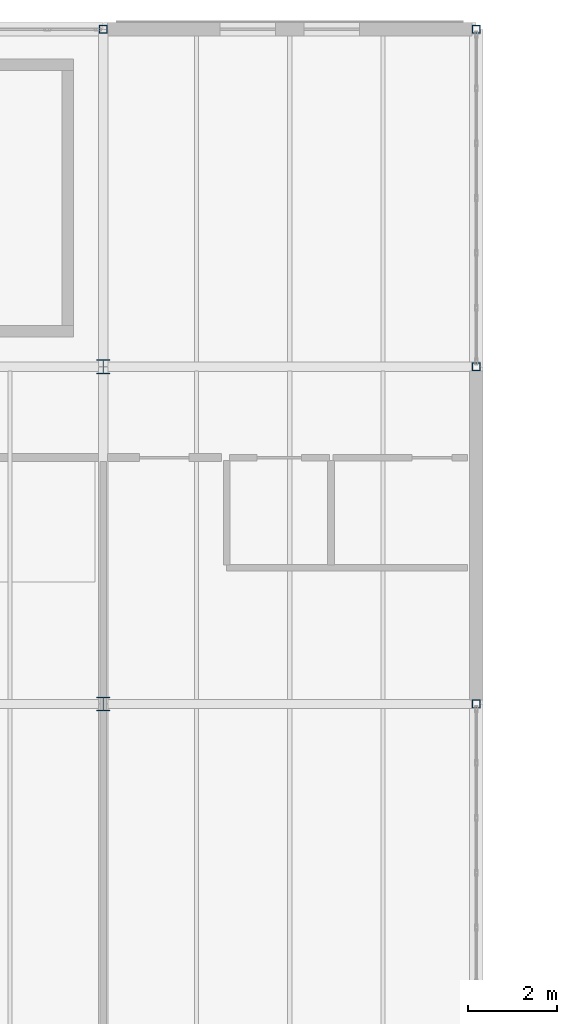
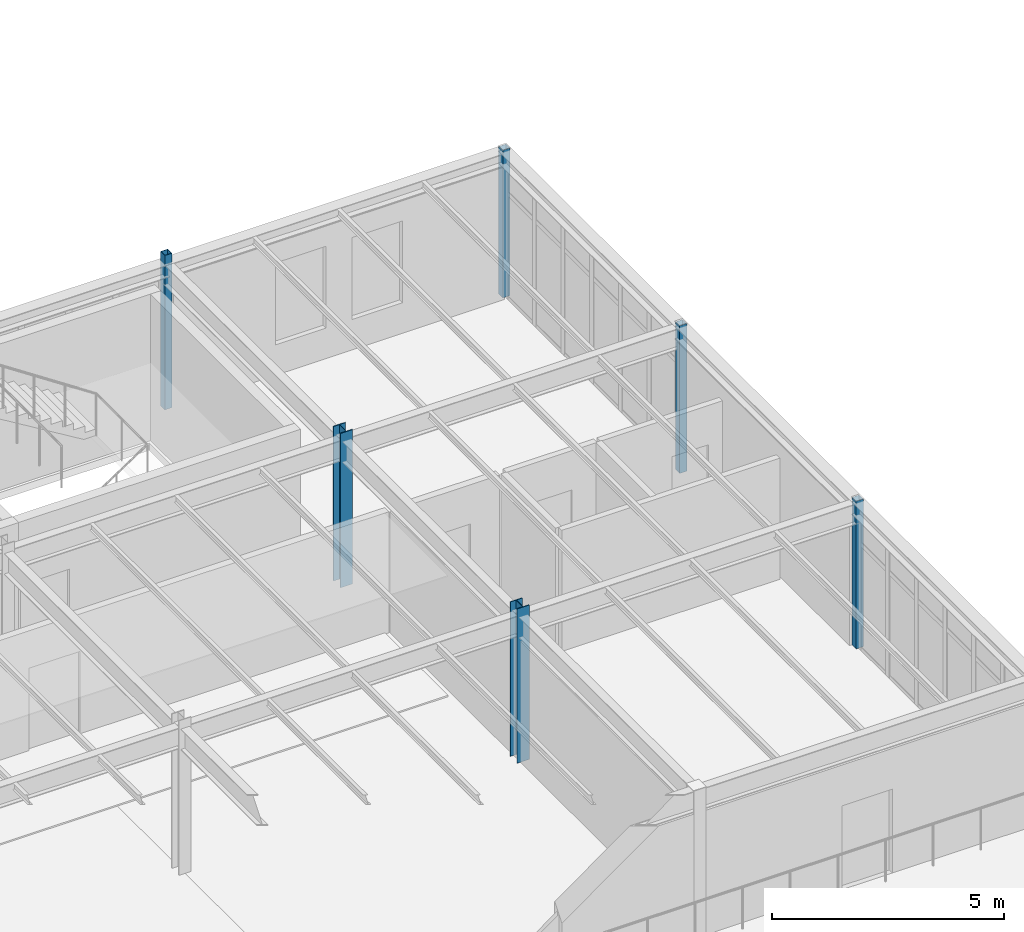
# One storey, part 7 of 65: 6 columns.
"""IFC4 building model written with IfcOpenShell, lengths in metres."""

from ifc_helpers import new_model, si_unit, direction, frame, origin, origin_2d, place, context, subcontext, project, spatial, hollow_rectangle, i_section, extrude, material, material_profile, profile_set, type_object, element, save


model = new_model("IFC4")

# Units and contexts
model_context = context("Model", 3, precision=1e-05, world=origin(), true_north=direction((0.0, 1.0)))
body_context = subcontext(model_context, "Body", "Model", "MODEL_VIEW")
ifc_project = project(units=[si_unit("LENGTHUNIT", "METRE"), si_unit("AREAUNIT", "SQUARE_METRE"), si_unit("VOLUMEUNIT", "CUBIC_METRE"), si_unit("PLANEANGLEUNIT", "RADIAN"), si_unit("MASSUNIT", "GRAM", prefix="KILO")], contexts=[model_context])

# Site, building, storey
site_placement = place(None, origin())
site = spatial("IfcSite", under=ifc_project, at=site_placement, CompositionType="ELEMENT")
building_placement = place(site_placement, origin())
building = spatial("IfcBuilding", under=site, at=building_placement, Name="Montecoro Central Library", CompositionType="ELEMENT")
storey_placement = place(building_placement, frame((0.0, 0.0, 17.340087890625)))
storey = spatial("IfcBuildingStorey", under=building, at=storey_placement, Name="L04", CompositionType="ELEMENT", Elevation=17.340087890625)

# Columns
ifc_material = material(Name="Steel S355", Category="steel")
ifc_material_profile_1 = material_profile(ifc_material, i_section(OverallWidth=0.300048828125, OverallDepth=0.320068359375, WebThickness=0.011474609375, FlangeThickness=0.0205078125, at=origin_2d()), Name="HEB 320")
ifc_profile_set_1 = profile_set([ifc_material_profile_1], Name="Steel S355")
column_type_1 = type_object("IfcColumnType", Name="COL-HEB320", PredefinedType="COLUMN", material=ifc_profile_set_1)
for number, where, z_axis, x_axis, name in (
    (1, (108.39990234375, 103.800048828125, 0.0), (0.0, 0.0, 1.0), (1.0, 0.0, 0.0), "V2-L04-COL-14-P"),
    (2, (108.39990234375, 111.39990234375, 0.0), (0.0, 0.0, 1.0), (1.0, 0.0, 0.0), "V2-L04-COL-14-Q"),
):
    element("IfcColumn", number, at=place(storey_placement, frame(where, z_axis=z_axis, x_axis=x_axis)), inside=storey, type_object=column_type_1, Name=name, PredefinedType="COLUMN", context=body_context, shape_type="SweptSolid", body=[
        extrude(i_section(OverallWidth=0.300048828125, OverallDepth=0.320068359375, WebThickness=0.011474609375, FlangeThickness=0.0205078125, at=origin_2d()), origin(), (0.0, 0.0, 1.0), 4.054931640625),
    ])
ifc_material_profile_2 = material_profile(ifc_material, hollow_rectangle(XDim=0.179931640625, YDim=0.179931640625, WallThickness=0.010009765625, at=origin_2d()), Name="SHS 180x180x10.0")
ifc_profile_set_2 = profile_set([ifc_material_profile_2], Name="Steel S355")
column_type_2 = type_object("IfcColumnType", Name="COL-SHS180", PredefinedType="COLUMN", material=ifc_profile_set_2)
column_placement = place(storey_placement, frame((108.39990234375, 119.0, 0.0), z_axis=(0.0, 0.0, 1.0), x_axis=(1.0, 0.0, 0.0)))
element("IfcColumn", 3, at=column_placement, inside=storey, type_object=column_type_2, Name="V2-L04-COL-14-R", PredefinedType="COLUMN", context=body_context, shape_type="SweptSolid", body=[
    extrude(hollow_rectangle(XDim=0.179931640625, YDim=0.179931640625, WallThickness=0.010009765625, at=origin_2d()), origin(), (0.0, 0.0, 1.0), 4.054931640625),
])
for number, where, z_axis, x_axis, name in (
    (4, (116.800048828125, 103.800048828125, 0.0), (0.0, 0.0, 1.0), (1.0, 0.0, 0.0), "V2-L04-COL-15-P"),
    (5, (116.800048828125, 111.39990234375, 0.0), (0.0, 0.0, 1.0), (1.0, 0.0, 0.0), "V2-L04-COL-15-Q"),
    (6, (116.800048828125, 119.0, 0.0), (0.0, 0.0, 1.0), (1.0, 0.0, 0.0), "V2-L04-COL-15-R"),
):
    element("IfcColumn", number, at=place(storey_placement, frame(where, z_axis=z_axis, x_axis=x_axis)), inside=storey, type_object=column_type_2, Name=name, PredefinedType="COLUMN", context=body_context, shape_type="SweptSolid", body=[
        extrude(hollow_rectangle(XDim=0.179931640625, YDim=0.179931640625, WallThickness=0.010009765625, at=origin_2d()), origin(), (0.0, 0.0, 1.0), 3.875),
    ])

save(model, "model.ifc")
